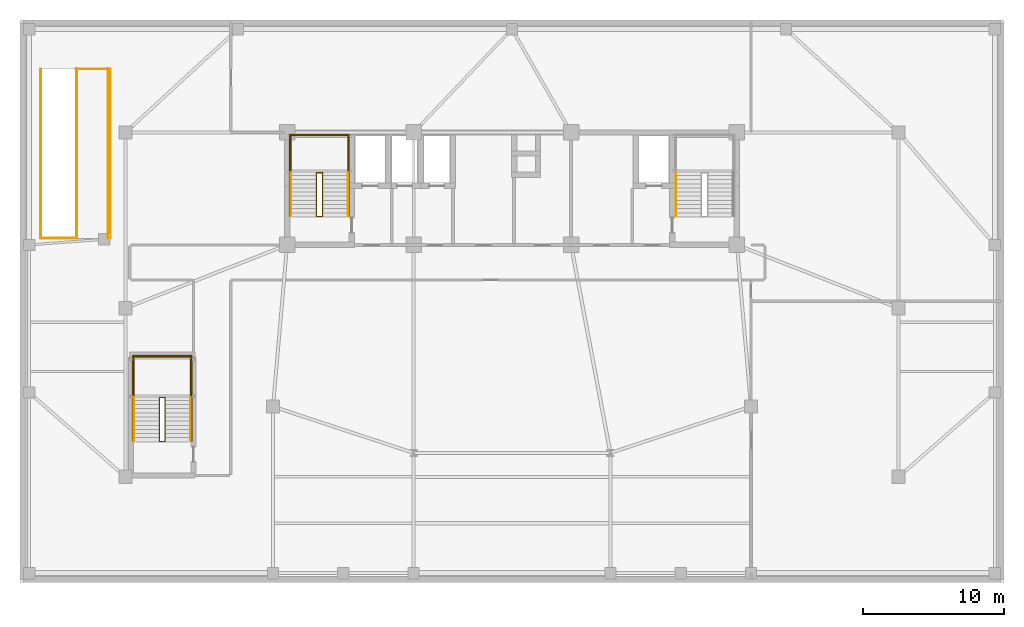
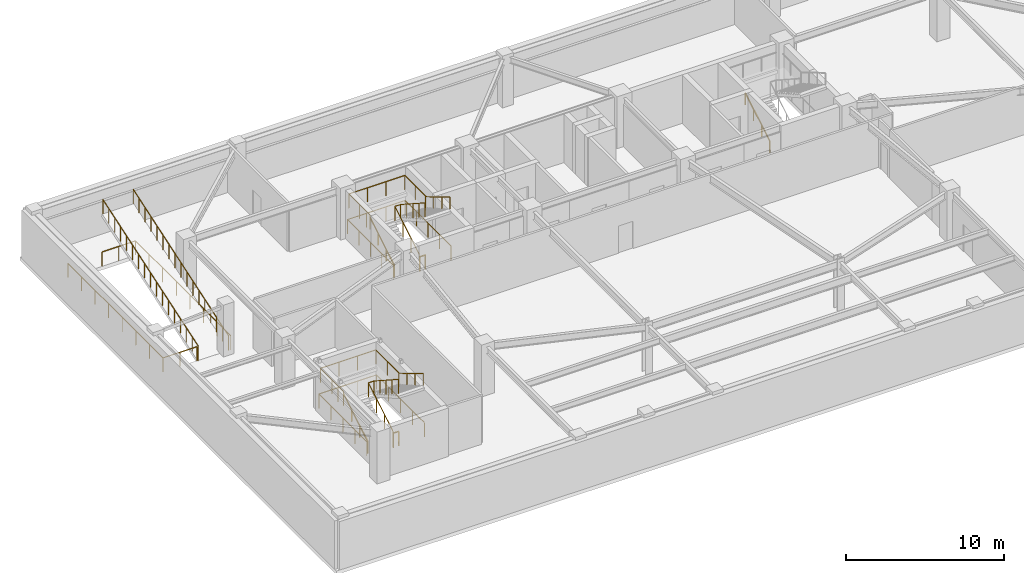
# One storey, part 7 of 8: 17 railings.
"""IFC4 building model written with IfcOpenShell, lengths in metres."""

from ifc_helpers import new_model, si_unit, direction, frame, origin, origin_2d, place, context, subcontext, project, spatial, rectangle, extrude, material, layer, layer_set, type_object, element, save


model = new_model("IFC4")

# Units and contexts
model_context = context("Model", 3, precision=1e-05, world=origin(), true_north=direction((0.0, 1.0)))
body_context = subcontext(model_context, "Body", "Model", "MODEL_VIEW")
ifc_project = project(units=[si_unit("LENGTHUNIT", "METRE"), si_unit("AREAUNIT", "SQUARE_METRE"), si_unit("VOLUMEUNIT", "CUBIC_METRE"), si_unit("PLANEANGLEUNIT", "RADIAN"), si_unit("MASSUNIT", "GRAM", prefix="KILO")], contexts=[model_context])

# Site, building, storey
site_placement = place(None, origin())
site = spatial("IfcSite", under=ifc_project, at=site_placement, CompositionType="ELEMENT")
building_placement = place(site_placement, origin())
building = spatial("IfcBuilding", under=site, at=building_placement, Name="Taldren Reach Tower", CompositionType="ELEMENT")
storey_placement = place(building_placement, frame((0.0, 0.0, -4.0)))
storey = spatial("IfcBuildingStorey", under=building, at=storey_placement, Name="B1", CompositionType="ELEMENT", Elevation=-4.0)

# Railings
ifc_material_1 = material(Name="Steel Gr 350 (C350L0)", Category="steel")
ifc_layer_1 = layer(ifc_material_1, 0.050048828125)
ifc_layer_set_1 = layer_set([ifc_layer_1], Name="Steel Gr 350 (C350L0)")
railing_type_1 = type_object("IfcRailingType", Name="RL-STAIR-GR", PredefinedType="GUARDRAIL", material=ifc_layer_set_1)
railing_1_placement = place(storey_placement, frame((19.260009765625, 29.135009765625, 2.0)))
element("IfcRailing", 1, at=railing_1_placement, inside=storey, type_object=railing_type_1, Name="Stair half-landing perimeter guard ST1-B1", PredefinedType="GUARDRAIL", context=body_context, shape_type="SweptSolid", body=[
    extrude(rectangle(XDim=0.047852, YDim=0.047852, at=origin_2d()), frame((0.0, 0.0, 1.09619140625), z_axis=(0.0, 1.0, 0.0), x_axis=(-1.0, 0.0, 0.0)), (0.0, 0.0, 1.0), 2.64501953125),
    extrude(rectangle(XDim=0.047852, YDim=0.047852, at=origin_2d()), frame((0.0, 2.64501953125, 1.09619140625), z_axis=(1.0, 0.0, 0.0), x_axis=(0.0, 1.0, 0.0)), (0.0, 0.0, 1.0), 4.080078125),
    extrude(rectangle(XDim=0.047852, YDim=0.047852, at=origin_2d()), frame((4.080078125, 2.64501953125, 1.09619140625), z_axis=(0.0, -1.0, 0.0), x_axis=(1.0, 0.0, 0.0)), (0.0, 0.0, 1.0), 2.64501953125),
    extrude(rectangle(XDim=0.041992, YDim=0.041992, at=origin_2d()), origin(), (0.0, 0.0, 1.0), 1.072021484375),
    extrude(rectangle(XDim=0.041992, YDim=0.041992, at=origin_2d()), frame((0.0, 1.322509765625, 0.0)), (0.0, 0.0, 1.0), 1.072021484375),
    extrude(rectangle(XDim=0.041992, YDim=0.041992, at=origin_2d()), frame((0.0, 2.64501953125, 0.0)), (0.0, 0.0, 1.0), 1.072021484375),
    extrude(rectangle(XDim=0.041992, YDim=0.041992, at=origin_2d()), frame((1.360107421875, 2.64501953125, 0.0)), (0.0, 0.0, 1.0), 1.072021484375),
    extrude(rectangle(XDim=0.041992, YDim=0.041992, at=origin_2d()), frame((2.719970703125, 2.64501953125, 0.0)), (0.0, 0.0, 1.0), 1.072021484375),
    extrude(rectangle(XDim=0.041992, YDim=0.041992, at=origin_2d()), frame((4.080078125, 2.64501953125, 0.0)), (0.0, 0.0, 1.0), 1.072021484375),
    extrude(rectangle(XDim=0.041992, YDim=0.041992, at=origin_2d()), frame((4.080078125, 1.322509765625, 0.0)), (0.0, 0.0, 1.0), 1.072021484375),
    extrude(rectangle(XDim=0.041992, YDim=0.041992, at=origin_2d()), frame((4.080078125, 0.0, 0.0)), (0.0, 0.0, 1.0), 1.072021484375),
])
railing_2_placement = place(storey_placement, frame((21.090087890625, 26.050048828125, 0.166748046875)))
element("IfcRailing", 2, at=railing_2_placement, inside=storey, type_object=railing_type_1, Name="Stairwell inner guard ST1-B1", PredefinedType="GUARDRAIL", context=body_context, shape_type="SweptSolid", body=[
    extrude(rectangle(XDim=0.047852, YDim=0.047852, at=origin_2d()), frame((0.0, 0.0, 1.09619140625), z_axis=(0.0, 0.859664290046, 0.510859382238), x_axis=(-1.0, 0.0, 0.0)), (0.0, 0.0, 1.0), 3.588623046875),
    extrude(rectangle(XDim=0.047852, YDim=0.047852, at=origin_2d()), frame((0.0, 3.0849609375, 2.92919921875), z_axis=(1.0, 0.0, 0.0), x_axis=(0.0, 1.0, 0.0)), (0.0, 0.0, 1.0), 0.419921875),
    extrude(rectangle(XDim=0.047852, YDim=0.047852, at=origin_2d()), frame((0.419921875, 3.0849609375, 2.92919921875), z_axis=(0.0, -0.839092365422, 0.543988972581), x_axis=(1.0, 0.0, 0.0)), (0.0, 0.0, 1.0), 3.676513671875),
    extrude(rectangle(XDim=0.041992, YDim=0.041992, at=origin_2d()), origin(), (0.0, 0.0, 1.0), 1.072021484375),
    extrude(rectangle(XDim=0.041992, YDim=0.041992, at=origin_2d()), frame((0.0, 1.0283203125, 0.611083984375)), (0.0, 0.0, 1.0), 1.072021484375),
    extrude(rectangle(XDim=0.041992, YDim=0.041992, at=origin_2d()), frame((0.0, 2.056640625, 1.22216796875)), (0.0, 0.0, 1.0), 1.072021484375),
    extrude(rectangle(XDim=0.041992, YDim=0.041992, at=origin_2d()), frame((0.0, 3.0849609375, 1.833251953125)), (0.0, 0.0, 1.0), 1.072021484375),
    extrude(rectangle(XDim=0.041992, YDim=0.041992, at=origin_2d()), frame((0.419921875, 3.0849609375, 1.833251953125)), (0.0, 0.0, 1.0), 1.072021484375),
    extrude(rectangle(XDim=0.041992, YDim=0.041992, at=origin_2d()), frame((0.419921875, 2.313720703125, 2.333251953125)), (0.0, 0.0, 1.0), 1.072021484375),
    extrude(rectangle(XDim=0.041992, YDim=0.041992, at=origin_2d()), frame((0.419921875, 1.54248046875, 2.833251953125)), (0.0, 0.0, 1.0), 1.072021484375),
    extrude(rectangle(XDim=0.041992, YDim=0.041992, at=origin_2d()), frame((0.419921875, 0.771240234375, 3.333251953125)), (0.0, 0.0, 1.0), 1.072021484375),
    extrude(rectangle(XDim=0.041992, YDim=0.041992, at=origin_2d()), frame((0.419921875, 0.0, 3.833251953125)), (0.0, 0.0, 1.0), 1.072021484375),
])
railing_3_placement = place(storey_placement, frame((21.090087890625, 26.010009765625, 0.0)))
element("IfcRailing", 3, at=railing_3_placement, inside=storey, type_object=railing_type_1, Name="Stairwell landing slot guard ST1-B1", PredefinedType="GUARDRAIL", context=body_context, shape_type="SweptSolid", body=[
    extrude(rectangle(XDim=0.047852, YDim=0.047852, at=origin_2d()), frame((0.0, 0.0, 1.09619140625), z_axis=(1.0, 0.0, 0.0), x_axis=(0.0, 1.0, 0.0)), (0.0, 0.0, 1.0), 0.419921875),
    extrude(rectangle(XDim=0.041992, YDim=0.041992, at=origin_2d()), origin(), (0.0, 0.0, 1.0), 1.072021484375),
    extrude(rectangle(XDim=0.041992, YDim=0.041992, at=origin_2d()), frame((0.419921875, 0.0, 0.0)), (0.0, 0.0, 1.0), 1.072021484375),
])
railing_4_placement = place(storey_placement, frame((19.18994140625, 26.050048828125, 0.0)))
element("IfcRailing", 4, at=railing_4_placement, inside=storey, type_object=railing_type_1, Name="Stairwell floor opening guard ST1-B1", PredefinedType="GUARDRAIL", context=body_context, shape_type="SweptSolid", body=[
    extrude(rectangle(XDim=0.047852, YDim=0.047852, at=origin_2d()), frame((0.0, 0.0, 1.09619140625), z_axis=(0.0, 1.0, 0.0), x_axis=(-1.0, 0.0, 0.0)), (0.0, 0.0, 1.0), 5.800048828125),
    extrude(rectangle(XDim=0.047852, YDim=0.047852, at=origin_2d()), frame((0.0, 5.800048828125, 1.09619140625), z_axis=(1.0, 0.0, 0.0), x_axis=(0.0, 1.0, 0.0)), (0.0, 0.0, 1.0), 4.219970703125),
    extrude(rectangle(XDim=0.047852, YDim=0.047852, at=origin_2d()), frame((4.219970703125, 5.800048828125, 1.09619140625), z_axis=(0.0, -1.0, 0.0), x_axis=(1.0, 0.0, 0.0)), (0.0, 0.0, 1.0), 5.800048828125),
    extrude(rectangle(XDim=0.041992, YDim=0.041992, at=origin_2d()), origin(), (0.0, 0.0, 1.0), 1.072021484375),
    extrude(rectangle(XDim=0.041992, YDim=0.041992, at=origin_2d()), frame((0.0, 1.449951171875, 0.0)), (0.0, 0.0, 1.0), 1.072021484375),
    extrude(rectangle(XDim=0.041992, YDim=0.041992, at=origin_2d()), frame((0.0, 2.89990234375, 0.0)), (0.0, 0.0, 1.0), 1.072021484375),
    extrude(rectangle(XDim=0.041992, YDim=0.041992, at=origin_2d()), frame((0.0, 4.35009765625, 0.0)), (0.0, 0.0, 1.0), 1.072021484375),
    extrude(rectangle(XDim=0.041992, YDim=0.041992, at=origin_2d()), frame((0.0, 5.800048828125, 0.0)), (0.0, 0.0, 1.0), 1.072021484375),
    extrude(rectangle(XDim=0.041992, YDim=0.041992, at=origin_2d()), frame((1.40673828125, 5.800048828125, 0.0)), (0.0, 0.0, 1.0), 1.072021484375),
    extrude(rectangle(XDim=0.041992, YDim=0.041992, at=origin_2d()), frame((2.813232421875, 5.800048828125, 0.0)), (0.0, 0.0, 1.0), 1.072021484375),
    extrude(rectangle(XDim=0.041992, YDim=0.041992, at=origin_2d()), frame((4.219970703125, 5.800048828125, 0.0)), (0.0, 0.0, 1.0), 1.072021484375),
    extrude(rectangle(XDim=0.041992, YDim=0.041992, at=origin_2d()), frame((4.219970703125, 4.35009765625, 0.0)), (0.0, 0.0, 1.0), 1.072021484375),
    extrude(rectangle(XDim=0.041992, YDim=0.041992, at=origin_2d()), frame((4.219970703125, 2.89990234375, 0.0)), (0.0, 0.0, 1.0), 1.072021484375),
    extrude(rectangle(XDim=0.041992, YDim=0.041992, at=origin_2d()), frame((4.219970703125, 1.449951171875, 0.0)), (0.0, 0.0, 1.0), 1.072021484375),
    extrude(rectangle(XDim=0.041992, YDim=0.041992, at=origin_2d()), frame((4.219970703125, 0.0, 0.0)), (0.0, 0.0, 1.0), 1.072021484375),
])
railing_5_placement = place(storey_placement, frame((8.090087890625, 13.135009765625, 2.0)))
element("IfcRailing", 5, at=railing_5_placement, inside=storey, type_object=railing_type_1, Name="Stair half-landing perimeter guard ST3-B1", PredefinedType="GUARDRAIL", context=body_context, shape_type="SweptSolid", body=[
    extrude(rectangle(XDim=0.047852, YDim=0.047852, at=origin_2d()), frame((0.0, 0.0, 1.09619140625), z_axis=(0.0, 1.0, 0.0), x_axis=(-1.0, 0.0, 0.0)), (0.0, 0.0, 1.0), 2.905029296875),
    extrude(rectangle(XDim=0.047852, YDim=0.047852, at=origin_2d()), frame((0.0, 2.905029296875, 1.09619140625), z_axis=(1.0, 0.0, 0.0), x_axis=(0.0, 1.0, 0.0)), (0.0, 0.0, 1.0), 4.059814453125),
    extrude(rectangle(XDim=0.047852, YDim=0.047852, at=origin_2d()), frame((4.059814453125, 2.905029296875, 1.09619140625), z_axis=(0.0, -1.0, 0.0), x_axis=(1.0, 0.0, 0.0)), (0.0, 0.0, 1.0), 2.905029296875),
    extrude(rectangle(XDim=0.041992, YDim=0.041992, at=origin_2d()), origin(), (0.0, 0.0, 1.0), 1.072021484375),
    extrude(rectangle(XDim=0.041992, YDim=0.041992, at=origin_2d()), frame((0.0, 1.45263671875, 0.0)), (0.0, 0.0, 1.0), 1.072021484375),
    extrude(rectangle(XDim=0.041992, YDim=0.041992, at=origin_2d()), frame((0.0, 2.905029296875, 0.0)), (0.0, 0.0, 1.0), 1.072021484375),
    extrude(rectangle(XDim=0.041992, YDim=0.041992, at=origin_2d()), frame((1.353271484375, 2.905029296875, 0.0)), (0.0, 0.0, 1.0), 1.072021484375),
    extrude(rectangle(XDim=0.041992, YDim=0.041992, at=origin_2d()), frame((2.70654296875, 2.905029296875, 0.0)), (0.0, 0.0, 1.0), 1.072021484375),
    extrude(rectangle(XDim=0.041992, YDim=0.041992, at=origin_2d()), frame((4.059814453125, 2.905029296875, 0.0)), (0.0, 0.0, 1.0), 1.072021484375),
    extrude(rectangle(XDim=0.041992, YDim=0.041992, at=origin_2d()), frame((4.059814453125, 1.45263671875, 0.0)), (0.0, 0.0, 1.0), 1.072021484375),
    extrude(rectangle(XDim=0.041992, YDim=0.041992, at=origin_2d()), frame((4.059814453125, 0.0, 0.0)), (0.0, 0.0, 1.0), 1.072021484375),
])
railing_6_placement = place(storey_placement, frame((9.919921875, 10.050048828125, 0.166748046875)))
element("IfcRailing", 6, at=railing_6_placement, inside=storey, type_object=railing_type_1, Name="Stairwell inner guard ST3-B1", PredefinedType="GUARDRAIL", context=body_context, shape_type="SweptSolid", body=[
    extrude(rectangle(XDim=0.047852, YDim=0.047852, at=origin_2d()), frame((0.0, 0.0, 1.09619140625), z_axis=(0.0, 0.859664290046, 0.510859382238), x_axis=(-1.0, 0.0, 0.0)), (0.0, 0.0, 1.0), 3.588623046875),
    extrude(rectangle(XDim=0.047852, YDim=0.047852, at=origin_2d()), frame((0.0, 3.0849609375, 2.92919921875), z_axis=(1.0, 0.0, 0.0), x_axis=(0.0, 1.0, 0.0)), (0.0, 0.0, 1.0), 0.400146484375),
    extrude(rectangle(XDim=0.047852, YDim=0.047852, at=origin_2d()), frame((0.400146484375, 3.0849609375, 2.92919921875), z_axis=(0.0, -0.839092365422, 0.543988972581), x_axis=(1.0, 0.0, 0.0)), (0.0, 0.0, 1.0), 3.676513671875),
    extrude(rectangle(XDim=0.041992, YDim=0.041992, at=origin_2d()), origin(), (0.0, 0.0, 1.0), 1.072021484375),
    extrude(rectangle(XDim=0.041992, YDim=0.041992, at=origin_2d()), frame((0.0, 1.0283203125, 0.611083984375)), (0.0, 0.0, 1.0), 1.072021484375),
    extrude(rectangle(XDim=0.041992, YDim=0.041992, at=origin_2d()), frame((0.0, 2.056640625, 1.22216796875)), (0.0, 0.0, 1.0), 1.072021484375),
    extrude(rectangle(XDim=0.041992, YDim=0.041992, at=origin_2d()), frame((0.0, 3.0849609375, 1.833251953125)), (0.0, 0.0, 1.0), 1.072021484375),
    extrude(rectangle(XDim=0.041992, YDim=0.041992, at=origin_2d()), frame((0.400146484375, 3.0849609375, 1.833251953125)), (0.0, 0.0, 1.0), 1.072021484375),
    extrude(rectangle(XDim=0.041992, YDim=0.041992, at=origin_2d()), frame((0.400146484375, 2.313720703125, 2.333251953125)), (0.0, 0.0, 1.0), 1.072021484375),
    extrude(rectangle(XDim=0.041992, YDim=0.041992, at=origin_2d()), frame((0.400146484375, 1.54248046875, 2.833251953125)), (0.0, 0.0, 1.0), 1.072021484375),
    extrude(rectangle(XDim=0.041992, YDim=0.041992, at=origin_2d()), frame((0.400146484375, 0.771240234375, 3.333251953125)), (0.0, 0.0, 1.0), 1.072021484375),
    extrude(rectangle(XDim=0.041992, YDim=0.041992, at=origin_2d()), frame((0.400146484375, 0.0, 3.833251953125)), (0.0, 0.0, 1.0), 1.072021484375),
])
railing_7_placement = place(storey_placement, frame((9.919921875, 10.010009765625, 0.0)))
element("IfcRailing", 7, at=railing_7_placement, inside=storey, type_object=railing_type_1, Name="Stairwell landing slot guard ST3-B1", PredefinedType="GUARDRAIL", context=body_context, shape_type="SweptSolid", body=[
    extrude(rectangle(XDim=0.047852, YDim=0.047852, at=origin_2d()), frame((0.0, 0.0, 1.09619140625), z_axis=(1.0, 0.0, 0.0), x_axis=(0.0, 1.0, 0.0)), (0.0, 0.0, 1.0), 0.400146484375),
    extrude(rectangle(XDim=0.041992, YDim=0.041992, at=origin_2d()), origin(), (0.0, 0.0, 1.0), 1.072021484375),
    extrude(rectangle(XDim=0.041992, YDim=0.041992, at=origin_2d()), frame((0.400146484375, 0.0, 0.0)), (0.0, 0.0, 1.0), 1.072021484375),
])
railing_8_placement = place(storey_placement, frame((8.02001953125, 10.050048828125, 0.0)))
element("IfcRailing", 8, at=railing_8_placement, inside=storey, type_object=railing_type_1, Name="Stairwell floor opening guard ST3-B1", PredefinedType="GUARDRAIL", context=body_context, shape_type="SweptSolid", body=[
    extrude(rectangle(XDim=0.047852, YDim=0.047852, at=origin_2d()), frame((0.0, 0.0, 1.09619140625), z_axis=(0.0, 1.0, 0.0), x_axis=(-1.0, 0.0, 0.0)), (0.0, 0.0, 1.0), 6.06005859375),
    extrude(rectangle(XDim=0.047852, YDim=0.047852, at=origin_2d()), frame((0.0, 6.06005859375, 1.09619140625), z_axis=(1.0, 0.0, 0.0), x_axis=(0.0, 1.0, 0.0)), (0.0, 0.0, 1.0), 4.199951171875),
    extrude(rectangle(XDim=0.047852, YDim=0.047852, at=origin_2d()), frame((4.199951171875, 6.06005859375, 1.09619140625), z_axis=(0.0, -1.0, 0.0), x_axis=(1.0, 0.0, 0.0)), (0.0, 0.0, 1.0), 6.06005859375),
    extrude(rectangle(XDim=0.041992, YDim=0.041992, at=origin_2d()), origin(), (0.0, 0.0, 1.0), 1.072021484375),
    extrude(rectangle(XDim=0.041992, YDim=0.041992, at=origin_2d()), frame((0.0, 1.51513671875, 0.0)), (0.0, 0.0, 1.0), 1.072021484375),
    extrude(rectangle(XDim=0.041992, YDim=0.041992, at=origin_2d()), frame((0.0, 3.030029296875, 0.0)), (0.0, 0.0, 1.0), 1.072021484375),
    extrude(rectangle(XDim=0.041992, YDim=0.041992, at=origin_2d()), frame((0.0, 4.544921875, 0.0)), (0.0, 0.0, 1.0), 1.072021484375),
    extrude(rectangle(XDim=0.041992, YDim=0.041992, at=origin_2d()), frame((0.0, 6.06005859375, 0.0)), (0.0, 0.0, 1.0), 1.072021484375),
    extrude(rectangle(XDim=0.041992, YDim=0.041992, at=origin_2d()), frame((1.39990234375, 6.06005859375, 0.0)), (0.0, 0.0, 1.0), 1.072021484375),
    extrude(rectangle(XDim=0.041992, YDim=0.041992, at=origin_2d()), frame((2.800048828125, 6.06005859375, 0.0)), (0.0, 0.0, 1.0), 1.072021484375),
    extrude(rectangle(XDim=0.041992, YDim=0.041992, at=origin_2d()), frame((4.199951171875, 6.06005859375, 0.0)), (0.0, 0.0, 1.0), 1.072021484375),
    extrude(rectangle(XDim=0.041992, YDim=0.041992, at=origin_2d()), frame((4.199951171875, 4.544921875, 0.0)), (0.0, 0.0, 1.0), 1.072021484375),
    extrude(rectangle(XDim=0.041992, YDim=0.041992, at=origin_2d()), frame((4.199951171875, 3.030029296875, 0.0)), (0.0, 0.0, 1.0), 1.072021484375),
    extrude(rectangle(XDim=0.041992, YDim=0.041992, at=origin_2d()), frame((4.199951171875, 1.51513671875, 0.0)), (0.0, 0.0, 1.0), 1.072021484375),
    extrude(rectangle(XDim=0.041992, YDim=0.041992, at=origin_2d()), frame((4.199951171875, 0.0, 0.0)), (0.0, 0.0, 1.0), 1.072021484375),
])
railing_9_placement = place(storey_placement, frame((4.0400390625, 24.469970703125, 0.0)))
element("IfcRailing", 9, at=railing_9_placement, inside=storey, type_object=railing_type_1, Name="Vehicle ramp RV-2 west sloped guardrail", PredefinedType="GUARDRAIL", context=body_context, shape_type="SweptSolid", body=[
    extrude(rectangle(XDim=0.047852, YDim=0.047852, at=origin_2d()), frame((0.0, 0.0, 1.1259765625), z_axis=(0.0, 0.949154913494, 0.314809387074), x_axis=(-1.0, 0.0, 0.0)), (0.0, 0.0, 1.0), 12.7060546875),
    extrude(rectangle(XDim=0.041992, YDim=0.041992, at=origin_2d()), origin(), (0.0, 0.0, 1.0), 1.101806640625),
    extrude(rectangle(XDim=0.041992, YDim=0.041992, at=origin_2d()), frame((0.0, 0.753662109375, 0.25)), (0.0, 0.0, 1.0), 1.101806640625),
    extrude(rectangle(XDim=0.041992, YDim=0.041992, at=origin_2d()), frame((0.0, 1.507568359375, 0.5)), (0.0, 0.0, 1.0), 1.101806640625),
    extrude(rectangle(XDim=0.041992, YDim=0.041992, at=origin_2d()), frame((0.0, 2.26123046875, 0.75)), (0.0, 0.0, 1.0), 1.101806640625),
    extrude(rectangle(XDim=0.041992, YDim=0.041992, at=origin_2d()), frame((0.0, 3.01513671875, 1.0)), (0.0, 0.0, 1.0), 1.101806640625),
    extrude(rectangle(XDim=0.041992, YDim=0.041992, at=origin_2d()), frame((0.0, 3.768798828125, 1.25)), (0.0, 0.0, 1.0), 1.101806640625),
    extrude(rectangle(XDim=0.041992, YDim=0.041992, at=origin_2d()), frame((0.0, 4.5224609375, 1.5)), (0.0, 0.0, 1.0), 1.101806640625),
    extrude(rectangle(XDim=0.041992, YDim=0.041992, at=origin_2d()), frame((0.0, 5.2763671875, 1.75)), (0.0, 0.0, 1.0), 1.101806640625),
    extrude(rectangle(XDim=0.041992, YDim=0.041992, at=origin_2d()), frame((0.0, 6.030029296875, 2.0)), (0.0, 0.0, 1.0), 1.101806640625),
    extrude(rectangle(XDim=0.041992, YDim=0.041992, at=origin_2d()), frame((0.0, 6.78369140625, 2.25)), (0.0, 0.0, 1.0), 1.101806640625),
    extrude(rectangle(XDim=0.041992, YDim=0.041992, at=origin_2d()), frame((0.0, 7.53759765625, 2.5)), (0.0, 0.0, 1.0), 1.101806640625),
    extrude(rectangle(XDim=0.041992, YDim=0.041992, at=origin_2d()), frame((0.0, 8.291259765625, 2.75)), (0.0, 0.0, 1.0), 1.101806640625),
    extrude(rectangle(XDim=0.041992, YDim=0.041992, at=origin_2d()), frame((0.0, 9.044921875, 3.0)), (0.0, 0.0, 1.0), 1.101806640625),
    extrude(rectangle(XDim=0.041992, YDim=0.041992, at=origin_2d()), frame((0.0, 9.798828125, 3.25)), (0.0, 0.0, 1.0), 1.101806640625),
    extrude(rectangle(XDim=0.041992, YDim=0.041992, at=origin_2d()), frame((0.0, 10.552490234375, 3.5)), (0.0, 0.0, 1.0), 1.101806640625),
    extrude(rectangle(XDim=0.041992, YDim=0.041992, at=origin_2d()), frame((0.0, 11.306396484375, 3.75)), (0.0, 0.0, 1.0), 1.101806640625),
    extrude(rectangle(XDim=0.041992, YDim=0.041992, at=origin_2d()), frame((0.0, 12.06005859375, 4.0)), (0.0, 0.0, 1.0), 1.101806640625),
])
railing_10_placement = place(storey_placement, frame((6.260009765625, 24.469970703125, 0.0)))
element("IfcRailing", 10, at=railing_10_placement, inside=storey, type_object=railing_type_1, Name="Vehicle ramp RV-2 east sloped guardrail", PredefinedType="GUARDRAIL", context=body_context, shape_type="SweptSolid", body=[
    extrude(rectangle(XDim=0.047852, YDim=0.047852, at=origin_2d()), frame((0.0, 0.0, 1.1259765625), z_axis=(0.0, 0.949154913494, 0.314809387074), x_axis=(-1.0, 0.0, 0.0)), (0.0, 0.0, 1.0), 12.7060546875),
    extrude(rectangle(XDim=0.041992, YDim=0.041992, at=origin_2d()), origin(), (0.0, 0.0, 1.0), 1.101806640625),
    extrude(rectangle(XDim=0.041992, YDim=0.041992, at=origin_2d()), frame((0.0, 0.753662109375, 0.25)), (0.0, 0.0, 1.0), 1.101806640625),
    extrude(rectangle(XDim=0.041992, YDim=0.041992, at=origin_2d()), frame((0.0, 1.507568359375, 0.5)), (0.0, 0.0, 1.0), 1.101806640625),
    extrude(rectangle(XDim=0.041992, YDim=0.041992, at=origin_2d()), frame((0.0, 2.26123046875, 0.75)), (0.0, 0.0, 1.0), 1.101806640625),
    extrude(rectangle(XDim=0.041992, YDim=0.041992, at=origin_2d()), frame((0.0, 3.01513671875, 1.0)), (0.0, 0.0, 1.0), 1.101806640625),
    extrude(rectangle(XDim=0.041992, YDim=0.041992, at=origin_2d()), frame((0.0, 3.768798828125, 1.25)), (0.0, 0.0, 1.0), 1.101806640625),
    extrude(rectangle(XDim=0.041992, YDim=0.041992, at=origin_2d()), frame((0.0, 4.5224609375, 1.5)), (0.0, 0.0, 1.0), 1.101806640625),
    extrude(rectangle(XDim=0.041992, YDim=0.041992, at=origin_2d()), frame((0.0, 5.2763671875, 1.75)), (0.0, 0.0, 1.0), 1.101806640625),
    extrude(rectangle(XDim=0.041992, YDim=0.041992, at=origin_2d()), frame((0.0, 6.030029296875, 2.0)), (0.0, 0.0, 1.0), 1.101806640625),
    extrude(rectangle(XDim=0.041992, YDim=0.041992, at=origin_2d()), frame((0.0, 6.78369140625, 2.25)), (0.0, 0.0, 1.0), 1.101806640625),
    extrude(rectangle(XDim=0.041992, YDim=0.041992, at=origin_2d()), frame((0.0, 7.53759765625, 2.5)), (0.0, 0.0, 1.0), 1.101806640625),
    extrude(rectangle(XDim=0.041992, YDim=0.041992, at=origin_2d()), frame((0.0, 8.291259765625, 2.75)), (0.0, 0.0, 1.0), 1.101806640625),
    extrude(rectangle(XDim=0.041992, YDim=0.041992, at=origin_2d()), frame((0.0, 9.044921875, 3.0)), (0.0, 0.0, 1.0), 1.101806640625),
    extrude(rectangle(XDim=0.041992, YDim=0.041992, at=origin_2d()), frame((0.0, 9.798828125, 3.25)), (0.0, 0.0, 1.0), 1.101806640625),
    extrude(rectangle(XDim=0.041992, YDim=0.041992, at=origin_2d()), frame((0.0, 10.552490234375, 3.5)), (0.0, 0.0, 1.0), 1.101806640625),
    extrude(rectangle(XDim=0.041992, YDim=0.041992, at=origin_2d()), frame((0.0, 11.306396484375, 3.75)), (0.0, 0.0, 1.0), 1.101806640625),
    extrude(rectangle(XDim=0.041992, YDim=0.041992, at=origin_2d()), frame((0.0, 12.06005859375, 4.0)), (0.0, 0.0, 1.0), 1.101806640625),
])
railing_11_placement = place(storey_placement, frame((1.47998046875, 36.52001953125, 0.0)))
element("IfcRailing", 11, at=railing_11_placement, inside=storey, type_object=railing_type_1, Name="Basement B1 ramp opening west perimeter guardrail", PredefinedType="GUARDRAIL", context=body_context, shape_type="SweptSolid", body=[
    extrude(rectangle(XDim=0.047852, YDim=0.047852, at=origin_2d()), frame((0.0, 0.0, 1.09619140625), z_axis=(0.0, -1.0, 0.0), x_axis=(1.0, 0.0, 0.0)), (0.0, 0.0, 1.0), 12.0400390625),
    extrude(rectangle(XDim=0.047852, YDim=0.047852, at=origin_2d()), frame((0.0, -12.0400390625, 1.09619140625), z_axis=(1.0, 0.0, 0.0), x_axis=(0.0, 1.0, 0.0)), (0.0, 0.0, 1.0), 2.47998046875),
    extrude(rectangle(XDim=0.041992, YDim=0.041992, at=origin_2d()), origin(), (0.0, 0.0, 1.0), 1.072021484375),
    extrude(rectangle(XDim=0.041992, YDim=0.041992, at=origin_2d()), frame((0.0, -1.719970703125, 0.0)), (0.0, 0.0, 1.0), 1.072021484375),
    extrude(rectangle(XDim=0.041992, YDim=0.041992, at=origin_2d()), frame((0.0, -3.43994140625, 0.0)), (0.0, 0.0, 1.0), 1.072021484375),
    extrude(rectangle(XDim=0.041992, YDim=0.041992, at=origin_2d()), frame((0.0, -5.159912109375, 0.0)), (0.0, 0.0, 1.0), 1.072021484375),
    extrude(rectangle(XDim=0.041992, YDim=0.041992, at=origin_2d()), frame((0.0, -6.880126953125, 0.0)), (0.0, 0.0, 1.0), 1.072021484375),
    extrude(rectangle(XDim=0.041992, YDim=0.041992, at=origin_2d()), frame((0.0, -8.60009765625, 0.0)), (0.0, 0.0, 1.0), 1.072021484375),
    extrude(rectangle(XDim=0.041992, YDim=0.041992, at=origin_2d()), frame((0.0, -10.320068359375, 0.0)), (0.0, 0.0, 1.0), 1.072021484375),
    extrude(rectangle(XDim=0.041992, YDim=0.041992, at=origin_2d()), frame((0.0, -12.0400390625, 0.0)), (0.0, 0.0, 1.0), 1.072021484375),
    extrude(rectangle(XDim=0.041992, YDim=0.041992, at=origin_2d()), frame((1.239990234375, -12.0400390625, 0.0)), (0.0, 0.0, 1.0), 1.072021484375),
    extrude(rectangle(XDim=0.041992, YDim=0.041992, at=origin_2d()), frame((2.47998046875, -12.0400390625, 0.0)), (0.0, 0.0, 1.0), 1.072021484375),
])
railing_12_placement = place(storey_placement, frame((3.97998046875, 36.52001953125, 0.0)))
element("IfcRailing", 12, at=railing_12_placement, inside=storey, type_object=railing_type_1, Name="Basement B1 ramp opening east perimeter guardrail", PredefinedType="GUARDRAIL", context=body_context, shape_type="SweptSolid", body=[
    extrude(rectangle(XDim=0.047852, YDim=0.047852, at=origin_2d()), frame((0.0, 0.0, 1.09619140625), z_axis=(1.0, 0.0, 0.0), x_axis=(0.0, 1.0, 0.0)), (0.0, 0.0, 1.0), 2.43994140625),
    extrude(rectangle(XDim=0.047852, YDim=0.047852, at=origin_2d()), frame((2.43994140625, 0.0, 1.09619140625), z_axis=(0.0, -1.0, 0.0), x_axis=(1.0, 0.0, 0.0)), (0.0, 0.0, 1.0), 12.0400390625),
    extrude(rectangle(XDim=0.041992, YDim=0.041992, at=origin_2d()), origin(), (0.0, 0.0, 1.0), 1.072021484375),
    extrude(rectangle(XDim=0.041992, YDim=0.041992, at=origin_2d()), frame((1.219970703125, 0.0, 0.0)), (0.0, 0.0, 1.0), 1.072021484375),
    extrude(rectangle(XDim=0.041992, YDim=0.041992, at=origin_2d()), frame((2.43994140625, 0.0, 0.0)), (0.0, 0.0, 1.0), 1.072021484375),
    extrude(rectangle(XDim=0.041992, YDim=0.041992, at=origin_2d()), frame((2.43994140625, -1.719970703125, 0.0)), (0.0, 0.0, 1.0), 1.072021484375),
    extrude(rectangle(XDim=0.041992, YDim=0.041992, at=origin_2d()), frame((2.43994140625, -3.43994140625, 0.0)), (0.0, 0.0, 1.0), 1.072021484375),
    extrude(rectangle(XDim=0.041992, YDim=0.041992, at=origin_2d()), frame((2.43994140625, -5.159912109375, 0.0)), (0.0, 0.0, 1.0), 1.072021484375),
    extrude(rectangle(XDim=0.041992, YDim=0.041992, at=origin_2d()), frame((2.43994140625, -6.880126953125, 0.0)), (0.0, 0.0, 1.0), 1.072021484375),
    extrude(rectangle(XDim=0.041992, YDim=0.041992, at=origin_2d()), frame((2.43994140625, -8.60009765625, 0.0)), (0.0, 0.0, 1.0), 1.072021484375),
    extrude(rectangle(XDim=0.041992, YDim=0.041992, at=origin_2d()), frame((2.43994140625, -10.320068359375, 0.0)), (0.0, 0.0, 1.0), 1.072021484375),
    extrude(rectangle(XDim=0.041992, YDim=0.041992, at=origin_2d()), frame((2.43994140625, -12.0400390625, 0.0)), (0.0, 0.0, 1.0), 1.072021484375),
])
ifc_material_2 = material(Name="Stainless Steel Gr 316", Category="steel")
ifc_layer_2 = layer(ifc_material_2, 0.048095703125)
ifc_layer_set_2 = layer_set([ifc_layer_2], Name="Stainless Steel Gr 316")
railing_type_2 = type_object("IfcRailingType", Name="RL-STAIR-HR", PredefinedType="HANDRAIL", material=ifc_layer_set_2)
railing_13_placement = place(storey_placement, frame((19.27001953125, 26.050048828125, 0.166748046875)))
element("IfcRailing", 13, at=railing_13_placement, inside=storey, type_object=railing_type_2, Name="Stair flight handrail ST1-B1-1", PredefinedType="HANDRAIL", context=body_context, shape_type="SweptSolid", body=[
    extrude(rectangle(XDim=0.047852, YDim=0.047852, at=origin_2d()), frame((0.0, 0.0, 0.89599609375), z_axis=(0.0, 0.859664290046, 0.510859382238), x_axis=(-1.0, 0.0, 0.0)), (0.0, 0.0, 1.0), 3.588623046875),
    extrude(rectangle(XDim=0.041992, YDim=0.041992, at=origin_2d()), origin(), (0.0, 0.0, 1.0), 0.871826171875),
    extrude(rectangle(XDim=0.041992, YDim=0.041992, at=origin_2d()), frame((0.0, 1.0283203125, 0.611083984375)), (0.0, 0.0, 1.0), 0.871826171875),
    extrude(rectangle(XDim=0.041992, YDim=0.041992, at=origin_2d()), frame((0.0, 2.056640625, 1.22216796875)), (0.0, 0.0, 1.0), 0.871826171875),
    extrude(rectangle(XDim=0.041992, YDim=0.041992, at=origin_2d()), frame((0.0, 3.0849609375, 1.833251953125)), (0.0, 0.0, 1.0), 0.871826171875),
])
railing_14_placement = place(storey_placement, frame((23.330078125, 29.135009765625, 2.166748046875)))
element("IfcRailing", 14, at=railing_14_placement, inside=storey, type_object=railing_type_2, Name="Stair flight handrail ST1-B1-2", PredefinedType="HANDRAIL", context=body_context, shape_type="SweptSolid", body=[
    extrude(rectangle(XDim=0.047852, YDim=0.047852, at=origin_2d()), frame((0.0, 0.0, 0.89599609375), z_axis=(0.0, -0.859664290046, 0.510859382238), x_axis=(1.0, 0.0, 0.0)), (0.0, 0.0, 1.0), 3.588623046875),
    extrude(rectangle(XDim=0.041992, YDim=0.041992, at=origin_2d()), origin(), (0.0, 0.0, 1.0), 0.871826171875),
    extrude(rectangle(XDim=0.041992, YDim=0.041992, at=origin_2d()), frame((0.0, -1.0283203125, 0.611083984375)), (0.0, 0.0, 1.0), 0.871826171875),
    extrude(rectangle(XDim=0.041992, YDim=0.041992, at=origin_2d()), frame((0.0, -2.056640625, 1.22216796875)), (0.0, 0.0, 1.0), 0.871826171875),
    extrude(rectangle(XDim=0.041992, YDim=0.041992, at=origin_2d()), frame((0.0, -3.0849609375, 1.833251953125)), (0.0, 0.0, 1.0), 0.871826171875),
])
for number, where, name in (
    (15, (46.669921875, 26.050048828125, 0.166748046875), "Stair flight handrail ST2-B1-1"),
    (16, (8.10009765625, 10.050048828125, 0.166748046875), "Stair flight handrail ST3-B1-1"),
):
    element("IfcRailing", number, at=place(storey_placement, frame(where)), inside=storey, type_object=railing_type_2, Name=name, PredefinedType="HANDRAIL", context=body_context, shape_type="SweptSolid", body=[
        extrude(rectangle(XDim=0.047852, YDim=0.047852, at=origin_2d()), frame((0.0, 0.0, 0.89599609375), z_axis=(0.0, 0.859664290046, 0.510859382238), x_axis=(-1.0, 0.0, 0.0)), (0.0, 0.0, 1.0), 3.588623046875),
        extrude(rectangle(XDim=0.041992, YDim=0.041992, at=origin_2d()), origin(), (0.0, 0.0, 1.0), 0.871826171875),
        extrude(rectangle(XDim=0.041992, YDim=0.041992, at=origin_2d()), frame((0.0, 1.0283203125, 0.611083984375)), (0.0, 0.0, 1.0), 0.871826171875),
        extrude(rectangle(XDim=0.041992, YDim=0.041992, at=origin_2d()), frame((0.0, 2.056640625, 1.22216796875)), (0.0, 0.0, 1.0), 0.871826171875),
        extrude(rectangle(XDim=0.041992, YDim=0.041992, at=origin_2d()), frame((0.0, 3.0849609375, 1.833251953125)), (0.0, 0.0, 1.0), 0.871826171875),
    ])
railing_15_placement = place(storey_placement, frame((12.139892578125, 13.135009765625, 2.166748046875)))
element("IfcRailing", 17, at=railing_15_placement, inside=storey, type_object=railing_type_2, Name="Stair flight handrail ST3-B1-2", PredefinedType="HANDRAIL", context=body_context, shape_type="SweptSolid", body=[
    extrude(rectangle(XDim=0.047852, YDim=0.047852, at=origin_2d()), frame((0.0, 0.0, 0.89599609375), z_axis=(0.0, -0.859664290046, 0.510859382238), x_axis=(1.0, 0.0, 0.0)), (0.0, 0.0, 1.0), 3.588623046875),
    extrude(rectangle(XDim=0.041992, YDim=0.041992, at=origin_2d()), origin(), (0.0, 0.0, 1.0), 0.871826171875),
    extrude(rectangle(XDim=0.041992, YDim=0.041992, at=origin_2d()), frame((0.0, -1.0283203125, 0.611083984375)), (0.0, 0.0, 1.0), 0.871826171875),
    extrude(rectangle(XDim=0.041992, YDim=0.041992, at=origin_2d()), frame((0.0, -2.056640625, 1.22216796875)), (0.0, 0.0, 1.0), 0.871826171875),
    extrude(rectangle(XDim=0.041992, YDim=0.041992, at=origin_2d()), frame((0.0, -3.0849609375, 1.833251953125)), (0.0, 0.0, 1.0), 0.871826171875),
])

save(model, "model.ifc")
